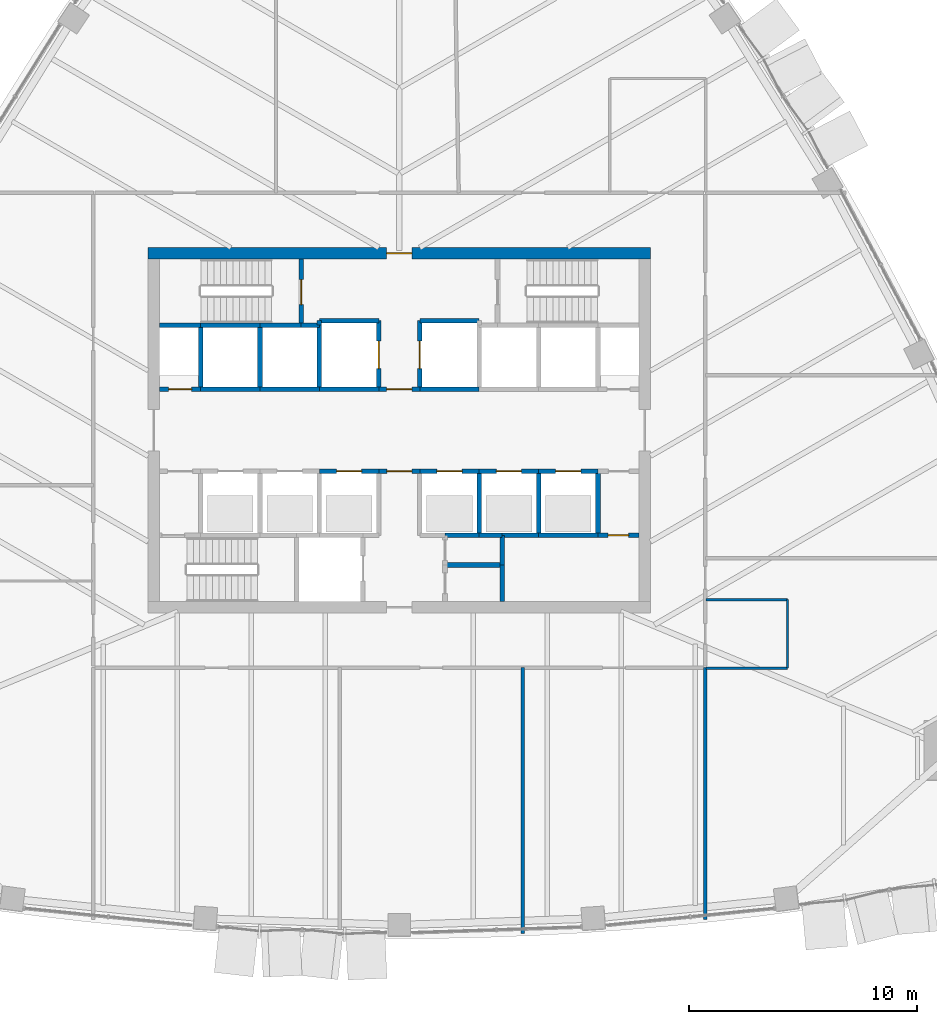
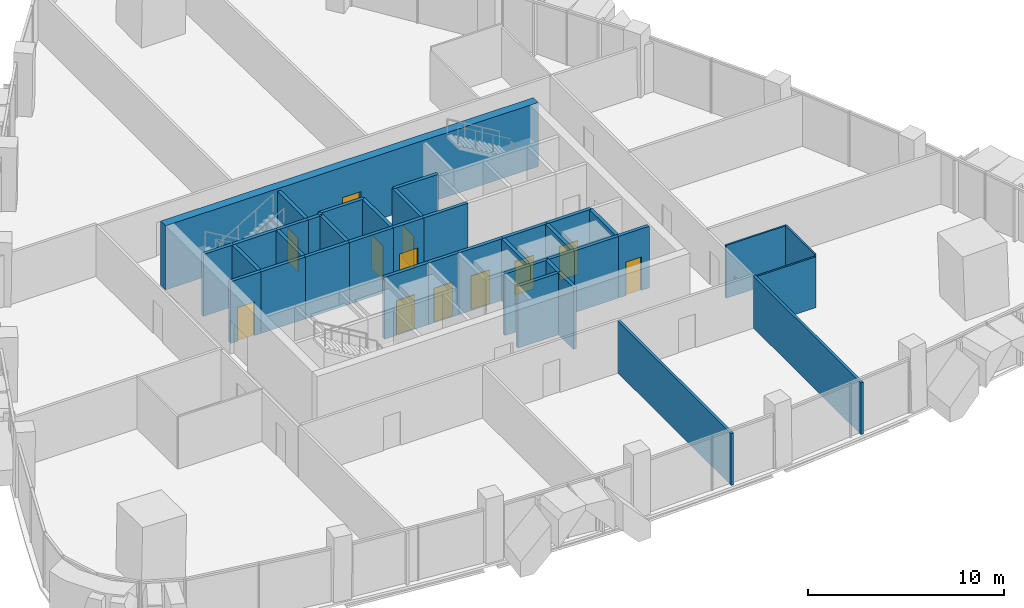
# One storey, part 11 of 17: 41 walls, 12 doors, 12 openings.
"""IFC4 building model written with IfcOpenShell, lengths in metres."""

from ifc_helpers import new_model, si_unit, direction, frame, frame_2d, origin, place, context, subcontext, project, spatial, rectangle, extrude, material, layer, layer_set, type_object, element, fill, save


model = new_model("IFC4")

# Units and contexts
model_context = context("Model", 3, precision=1e-05, world=origin(), true_north=direction((0.0, 1.0)))
body_context = subcontext(model_context, "Body", "Model", "MODEL_VIEW")
ifc_project = project(units=[si_unit("LENGTHUNIT", "METRE"), si_unit("AREAUNIT", "SQUARE_METRE"), si_unit("VOLUMEUNIT", "CUBIC_METRE"), si_unit("PLANEANGLEUNIT", "RADIAN"), si_unit("MASSUNIT", "GRAM", prefix="KILO")], contexts=[model_context])

# Site, building, storey
site_placement = place(None, origin())
site = spatial("IfcSite", under=ifc_project, at=site_placement, CompositionType="ELEMENT")
building_placement = place(site_placement, origin())
building = spatial("IfcBuilding", under=site, at=building_placement, Name="Sierra Prisma Convention Tower", CompositionType="ELEMENT")
storey_placement = place(building_placement, frame((0.0, 0.0, 153.800048828125)))
storey = spatial("IfcBuildingStorey", under=building, at=storey_placement, Name="L33", CompositionType="ELEMENT", Elevation=153.800048828125)

# Walls
ifc_material_1 = material(Name="Gypsum board partition", Category="gypsum")
ifc_layer_1 = layer(ifc_material_1, 0.10009765625)
ifc_layer_set_1 = layer_set([ifc_layer_1], Name="Bathroom partition 100")
wall_type_1 = type_object("IfcWallType", Name="Bathroom partition 100", PredefinedType="PARTITIONING", material=ifc_layer_set_1)
wall_1_placement = place(storey_placement, frame((13.429931640625, -7.419921875, 0.0), z_axis=(0.0, 0.0, 1.0), x_axis=(1.0, 0.0, 0.0)))
element("IfcWall", 1, at=wall_1_placement, inside=storey, type_object=wall_type_1, Name="Partition L33 bath 6", PredefinedType="PARTITIONING", context=body_context, shape_type="SweptSolid", body=[
    extrude(rectangle(XDim=3.570068359375, YDim=0.10009765625, at=frame_2d((1.78515625, 0.0))), origin(), (0.0, 0.0, 1.0), 3.300048828125),
])
wall_2_placement = place(storey_placement, frame((17.0, -7.419921875, 0.0), z_axis=(0.0, 0.0, 1.0), x_axis=(0.0, -1.0, 0.0)))
element("IfcWall", 2, at=wall_2_placement, inside=storey, type_object=wall_type_1, Name="Partition L33 bath 7", PredefinedType="PARTITIONING", context=body_context, shape_type="SweptSolid", body=[
    extrude(rectangle(XDim=3.0, YDim=0.10009765625, at=frame_2d((1.5, 0.0))), origin(), (0.0, 0.0, 1.0), 3.300048828125),
])
wall_3_placement = place(storey_placement, frame((17.0, -10.419921875, 0.0), z_axis=(0.0, 0.0, 1.0), x_axis=(-1.0, 0.0, 0.0)))
element("IfcWall", 3, at=wall_3_placement, inside=storey, type_object=wall_type_1, Name="Partition L33 bath 8", PredefinedType="PARTITIONING", context=body_context, shape_type="SweptSolid", body=[
    extrude(rectangle(XDim=3.570068359375, YDim=0.10009765625, at=frame_2d((1.78515625, 0.0))), origin(), (0.0, 0.0, 1.0), 3.166015625),
])

# Wall, opening, door
ifc_material_2 = material(Name="Concrete C30/37", Category="concrete")
ifc_layer_2 = layer(ifc_material_2, 0.199951171875)
ifc_layer_set_2 = layer_set([ifc_layer_2], Name="Core wall RC 200 C30/37")
wall_type_2 = type_object("IfcWallType", Name="Core wall RC 200 C30/37", PredefinedType="SOLIDWALL", material=ifc_layer_set_2)
wall_4_placement = place(storey_placement, frame((-8.699951171875, 1.800048828125, 0.0), z_axis=(0.0, 0.0, 1.0), x_axis=(-1.0, 0.0, 0.0)))
wall_4 = element("IfcWall", 4, at=wall_4_placement, inside=storey, type_object=wall_type_2, Name="Core wall L33 3", PredefinedType="SOLIDWALL", context=body_context, shape_type="SweptSolid", body=[
    extrude(rectangle(XDim=1.800048828125, YDim=0.199951171875, at=frame_2d((0.89990234375, 0.0))), origin(), (0.0, 0.0, 1.0), 3.849853515625),
])
opening_1_placement = place(wall_4_placement, frame((0.39990234375, 0.0, 0.0)))
opening_1 = element("IfcOpeningElement", 5, at=opening_1_placement, cuts=wall_4, Name="Opening L33-D013", PredefinedType="OPENING", context=body_context, shape_type="SweptSolid", body=[
    extrude(rectangle(XDim=1.0, YDim=2.10009765625, at=frame_2d((0.5, 1.050048828125))), frame((0.0, 0.10009765625, 0.0), z_axis=(0.0, -1.0, 0.0), x_axis=(1.0, 0.0, 0.0)), (0.0, 0.0, 1.0), 0.199951171875),
])
ifc_material_3 = material(Name="Steel fire door leaf", Category="steel")
door_type_1 = type_object("IfcDoorType", Name="Door 1000x2100 FD60S", OperationType="SINGLE_SWING_LEFT", PredefinedType="DOOR", material=ifc_material_3)
door_1_placement = place(opening_1_placement, origin())
door_1 = element("IfcDoor", 6, at=door_1_placement, inside=storey, type_object=door_type_1, Name="Door L33 27", OperationType="SINGLE_SWING_LEFT", OverallHeight=2.10009765625, OverallWidth=1.0, PredefinedType="DOOR", context=body_context, shape_type="SweptSolid", body=[
    extrude(rectangle(XDim=1.0, YDim=2.10009765625, at=frame_2d((0.5, 1.050048828125))), frame((0.0, 0.02490234375, 0.0), z_axis=(0.0, -1.0, 0.0), x_axis=(1.0, 0.0, 0.0)), (0.0, 0.0, 1.0), 0.050048828125),
])
fill(opening_1, door_1)

# Walls
wall_5_placement = place(storey_placement, frame((-8.699951171875, 4.60009765625, 0.0), z_axis=(0.0, 0.0, 1.0), x_axis=(-1.0, 0.0, 0.0)))
element("IfcWall", 7, at=wall_5_placement, inside=storey, type_object=wall_type_2, Name="Core wall L33 4", PredefinedType="SOLIDWALL", context=body_context, shape_type="SweptSolid", body=[
    extrude(rectangle(XDim=1.800048828125, YDim=0.199951171875, at=frame_2d((0.89990234375, 0.0))), origin(), (0.0, 0.0, 1.0), 3.849853515625),
])
wall_6_placement = place(storey_placement, frame((-6.10009765625, 1.800048828125, 0.0), z_axis=(0.0, 0.0, 1.0), x_axis=(-1.0, 0.0, 0.0)))
element("IfcWall", 8, at=wall_6_placement, inside=storey, type_object=wall_type_2, Name="Core wall L33 8", PredefinedType="SOLIDWALL", context=body_context, shape_type="SweptSolid", body=[
    extrude(rectangle(XDim=2.599853515625, YDim=0.199951171875, at=frame_2d((1.2998046875, 0.0))), origin(), (0.0, 0.0, 1.0), 3.849853515625),
])
wall_7_placement = place(storey_placement, frame((-8.699951171875, 1.800048828125, 0.0), z_axis=(0.0, 0.0, 1.0), x_axis=(0.0, 1.0, 0.0)))
element("IfcWall", 9, at=wall_7_placement, inside=storey, type_object=wall_type_2, Name="Core wall L33 9", PredefinedType="SOLIDWALL", context=body_context, shape_type="SweptSolid", body=[
    extrude(rectangle(XDim=2.800048828125, YDim=0.199951171875, at=frame_2d((1.39990234375, 0.0))), origin(), (0.0, 0.0, 1.0), 3.849853515625),
])
wall_8_placement = place(storey_placement, frame((-6.10009765625, 4.60009765625, 0.0), z_axis=(0.0, 0.0, 1.0), x_axis=(-1.0, 0.0, 0.0)))
element("IfcWall", 10, at=wall_8_placement, inside=storey, type_object=wall_type_2, Name="Core wall L33 10", PredefinedType="SOLIDWALL", context=body_context, shape_type="SweptSolid", body=[
    extrude(rectangle(XDim=2.599853515625, YDim=0.199951171875, at=frame_2d((1.2998046875, 0.0))), origin(), (0.0, 0.0, 1.0), 3.849853515625),
])
wall_9_placement = place(storey_placement, frame((-3.5, 1.800048828125, 0.0), z_axis=(0.0, 0.0, 1.0), x_axis=(-1.0, 0.0, 0.0)))
element("IfcWall", 11, at=wall_9_placement, inside=storey, type_object=wall_type_2, Name="Core wall L33 14", PredefinedType="SOLIDWALL", context=body_context, shape_type="SweptSolid", body=[
    extrude(rectangle(XDim=2.60009765625, YDim=0.199951171875, at=frame_2d((1.300048828125, 0.0))), origin(), (0.0, 0.0, 1.0), 3.849853515625),
])
wall_10_placement = place(storey_placement, frame((-6.10009765625, 1.800048828125, 0.0), z_axis=(0.0, 0.0, 1.0), x_axis=(0.0, 1.0, 0.0)))
element("IfcWall", 12, at=wall_10_placement, inside=storey, type_object=wall_type_2, Name="Core wall L33 15", PredefinedType="SOLIDWALL", context=body_context, shape_type="SweptSolid", body=[
    extrude(rectangle(XDim=2.800048828125, YDim=0.199951171875, at=frame_2d((1.39990234375, 0.0))), origin(), (0.0, 0.0, 1.0), 3.849853515625),
])
wall_11_placement = place(storey_placement, frame((-4.300048828125, 4.60009765625, 0.0), z_axis=(0.0, 0.0, 1.0), x_axis=(-1.0, 0.0, 0.0)))
element("IfcWall", 13, at=wall_11_placement, inside=storey, type_object=wall_type_2, Name="Core wall L33 16", PredefinedType="SOLIDWALL", context=body_context, shape_type="SweptSolid", body=[
    extrude(rectangle(XDim=1.800048828125, YDim=0.199951171875, at=frame_2d((0.89990234375, 0.0))), origin(), (0.0, 0.0, 1.0), 3.849853515625),
])
wall_12_placement = place(storey_placement, frame((-3.5, 4.60009765625, 0.0), z_axis=(0.0, 0.0, 1.0), x_axis=(-1.0, 0.0, 0.0)))
element("IfcWall", 14, at=wall_12_placement, inside=storey, type_object=wall_type_2, Name="Core wall L33 19", PredefinedType="SOLIDWALL", context=body_context, shape_type="SweptSolid", body=[
    extrude(rectangle(XDim=0.800048828125, YDim=0.199951171875, at=frame_2d((0.39990234375, 0.0))), origin(), (0.0, 0.0, 1.0), 3.849853515625),
])

# Wall, opening, door
wall_13_placement = place(storey_placement, frame((-4.300048828125, 4.60009765625, 0.0), z_axis=(0.0, 0.0, 1.0), x_axis=(0.0, 1.0, 0.0)))
wall_13 = element("IfcWall", 15, at=wall_13_placement, inside=storey, type_object=wall_type_2, Name="Core wall L33 20", PredefinedType="SOLIDWALL", context=body_context, shape_type="SweptSolid", body=[
    extrude(rectangle(XDim=2.89990234375, YDim=0.199951171875, at=frame_2d((1.449951171875, 0.0))), origin(), (0.0, 0.0, 1.0), 3.849853515625),
])
opening_2_placement = place(wall_13_placement, frame((0.89990234375, 0.0, 0.0)))
opening_2 = element("IfcOpeningElement", 16, at=opening_2_placement, cuts=wall_13, Name="Opening L33-D016", PredefinedType="OPENING", context=body_context, shape_type="SweptSolid", body=[
    extrude(rectangle(XDim=1.10009765625, YDim=2.10009765625, at=frame_2d((0.550048828125, 1.050048828125))), frame((0.0, 0.10009765625, 0.0), z_axis=(0.0, -1.0, 0.0), x_axis=(1.0, 0.0, 0.0)), (0.0, 0.0, 1.0), 0.199951171875),
])
ifc_material_4 = material(Name="Steel fire door leaf", Category="steel")
door_type_2 = type_object("IfcDoorType", Name="Door 1100x2100 FD90S", OperationType="SINGLE_SWING_LEFT", PredefinedType="DOOR", material=ifc_material_4)
door_2_placement = place(opening_2_placement, origin())
door_2 = element("IfcDoor", 17, at=door_2_placement, inside=storey, type_object=door_type_2, Name="Door L33 30", OperationType="SINGLE_SWING_LEFT", OverallHeight=2.10009765625, OverallWidth=1.10009765625, PredefinedType="DOOR", context=body_context, shape_type="SweptSolid", body=[
    extrude(rectangle(XDim=1.10009765625, YDim=2.10009765625, at=frame_2d((0.550048828125, 1.050048828125))), frame((0.0, 0.02490234375, 0.0), z_axis=(0.0, -1.0, 0.0), x_axis=(1.0, 0.0, 0.0)), (0.0, 0.0, 1.0), 0.050048828125),
])
fill(opening_2, door_2)

wall_14_placement = place(storey_placement, frame((-3.5, -1.800048828125, 0.0), z_axis=(0.0, 0.0, 1.0), x_axis=(1.0, 0.0, 0.0)))
wall_14 = element("IfcWall", 18, at=wall_14_placement, inside=storey, type_object=wall_type_2, Name="Core wall L33 23", PredefinedType="SOLIDWALL", context=body_context, shape_type="SweptSolid", body=[
    extrude(rectangle(XDim=2.60009765625, YDim=0.199951171875, at=frame_2d((1.300048828125, 0.0))), origin(), (0.0, 0.0, 1.0), 3.849853515625),
])
opening_3_placement = place(wall_14_placement, frame((0.75, 0.0, 0.0)))
opening_3 = element("IfcOpeningElement", 19, at=opening_3_placement, cuts=wall_14, Name="Opening L33-D003", PredefinedType="OPENING", context=body_context, shape_type="SweptSolid", body=[
    extrude(rectangle(XDim=1.10009765625, YDim=2.10009765625, at=frame_2d((0.550048828125, 1.050048828125))), frame((0.0, 0.10009765625, 0.0), z_axis=(0.0, -1.0, 0.0), x_axis=(1.0, 0.0, 0.0)), (0.0, 0.0, 1.0), 0.199951171875),
])
ifc_material_5 = material(Name="Steel fire door leaf", Category="steel")
door_type_3 = type_object("IfcDoorType", Name="Door 1100x2100 EI 90 sliding lift landing", OperationType="SLIDING_TO_LEFT", PredefinedType="DOOR", material=ifc_material_5)
door_3_placement = place(opening_3_placement, origin())
door_3 = element("IfcDoor", 20, at=door_3_placement, inside=storey, type_object=door_type_3, Name="Door L33 17", OperationType="SLIDING_TO_RIGHT", OverallHeight=2.10009765625, OverallWidth=1.10009765625, PredefinedType="DOOR", context=body_context, shape_type="SweptSolid", body=[
    extrude(rectangle(XDim=1.10009765625, YDim=2.10009765625, at=frame_2d((0.550048828125, 1.050048828125))), frame((0.0, 0.02490234375, 0.0), z_axis=(0.0, -1.0, 0.0), x_axis=(1.0, 0.0, 0.0)), (0.0, 0.0, 1.0), 0.050048828125),
])
fill(opening_3, door_3)

# Walls
wall_15_placement = place(storey_placement, frame((-0.89990234375, 1.800048828125, 0.0), z_axis=(0.0, 0.0, 1.0), x_axis=(-1.0, 0.0, 0.0)))
element("IfcWall", 21, at=wall_15_placement, inside=storey, type_object=wall_type_2, Name="Core wall L33 24", PredefinedType="SOLIDWALL", context=body_context, shape_type="SweptSolid", body=[
    extrude(rectangle(XDim=2.60009765625, YDim=0.199951171875, at=frame_2d((1.300048828125, 0.0))), origin(), (0.0, 0.0, 1.0), 3.849853515625),
])
wall_16_placement = place(storey_placement, frame((-3.5, 4.60009765625, 0.0), z_axis=(0.0, 0.0, 1.0), x_axis=(0.0, -1.0, 0.0)))
element("IfcWall", 22, at=wall_16_placement, inside=storey, type_object=wall_type_2, Name="Core wall L33 25", PredefinedType="SOLIDWALL", context=body_context, shape_type="SweptSolid", body=[
    extrude(rectangle(XDim=2.800048828125, YDim=0.199951171875, at=frame_2d((1.39990234375, 0.0))), origin(), (0.0, 0.0, 1.0), 3.849853515625),
])

# Wall, opening, door
wall_17_placement = place(storey_placement, frame((-0.89990234375, 1.800048828125, 0.0), z_axis=(0.0, 0.0, 1.0), x_axis=(0.0, 1.0, 0.0)))
wall_17 = element("IfcWall", 23, at=wall_17_placement, inside=storey, type_object=wall_type_2, Name="Core wall L33 26", PredefinedType="SOLIDWALL", context=body_context, shape_type="SweptSolid", body=[
    extrude(rectangle(XDim=3.0, YDim=0.199951171875, at=frame_2d((1.5, 0.0))), origin(), (0.0, 0.0, 1.0), 3.849853515625),
])
opening_4_placement = place(wall_17_placement, frame((0.89990234375, 0.0, 0.0)))
opening_4 = element("IfcOpeningElement", 24, at=opening_4_placement, cuts=wall_17, Name="Opening L33-D007", PredefinedType="OPENING", context=body_context, shape_type="SweptSolid", body=[
    extrude(rectangle(XDim=1.199951171875, YDim=2.10009765625, at=frame_2d((0.60009765625, 1.050048828125))), frame((0.0, 0.10009765625, 0.0), z_axis=(0.0, -1.0, 0.0), x_axis=(1.0, 0.0, 0.0)), (0.0, 0.0, 1.0), 0.199951171875),
])
ifc_material_6 = material(Name="Steel fire door leaf", Category="steel")
door_type_4 = type_object("IfcDoorType", Name="Door 1200x2100 EI 90 sliding lift landing", OperationType="SLIDING_TO_LEFT", PredefinedType="DOOR", material=ifc_material_6)
door_4_placement = place(opening_4_placement, origin())
door_4 = element("IfcDoor", 25, at=door_4_placement, inside=storey, type_object=door_type_4, Name="Door L33 21", OperationType="SLIDING_TO_RIGHT", OverallHeight=2.10009765625, OverallWidth=1.199951171875, PredefinedType="DOOR", context=body_context, shape_type="SweptSolid", body=[
    extrude(rectangle(XDim=1.199951171875, YDim=2.10009765625, at=frame_2d((0.60009765625, 1.050048828125))), frame((0.0, 0.02490234375, 0.0), z_axis=(0.0, -1.0, 0.0), x_axis=(1.0, 0.0, 0.0)), (0.0, 0.0, 1.0), 0.050048828125),
])
fill(opening_4, door_4)

# Walls
wall_18_placement = place(storey_placement, frame((-0.89990234375, 4.800048828125, 0.0), z_axis=(0.0, 0.0, 1.0), x_axis=(-1.0, 0.0, 0.0)))
element("IfcWall", 26, at=wall_18_placement, inside=storey, type_object=wall_type_2, Name="Core wall L33 27", PredefinedType="SOLIDWALL", context=body_context, shape_type="SweptSolid", body=[
    extrude(rectangle(XDim=2.60009765625, YDim=0.199951171875, at=frame_2d((1.300048828125, 0.0))), origin(), (0.0, 0.0, 1.0), 3.849853515625),
])
wall_19_placement = place(storey_placement, frame((-3.5, 4.800048828125, 0.0), z_axis=(0.0, 0.0, 1.0), x_axis=(0.0, -1.0, 0.0)))
element("IfcWall", 27, at=wall_19_placement, inside=storey, type_object=wall_type_2, Name="Core wall L33 28", PredefinedType="SOLIDWALL", context=body_context, shape_type="SweptSolid", body=[
    extrude(rectangle(XDim=0.199951171875, YDim=0.199951171875, at=frame_2d((0.10009765625, 0.0))), origin(), (0.0, 0.0, 1.0), 3.849853515625),
])

# Wall, opening, door
wall_20_placement = place(storey_placement, frame((-0.89990234375, -1.800048828125, 0.0), z_axis=(0.0, 0.0, 1.0), x_axis=(1.0, 0.0, 0.0)))
wall_20 = element("IfcWall", 28, at=wall_20_placement, inside=storey, type_object=wall_type_2, Name="Core wall L33 32", PredefinedType="SOLIDWALL", context=body_context, shape_type="SweptSolid", body=[
    extrude(rectangle(XDim=1.7998046875, YDim=0.199951171875, at=frame_2d((0.89990234375, 0.0))), origin(), (0.0, 0.0, 1.0), 3.849853515625),
])
opening_5_placement = place(wall_20_placement, frame((0.35009765625, 0.0, 0.0)))
opening_5 = element("IfcOpeningElement", 29, at=opening_5_placement, cuts=wall_20, Name="Opening L33-D012", PredefinedType="OPENING", context=body_context, shape_type="SweptSolid", body=[
    extrude(rectangle(XDim=1.10009765625, YDim=2.10009765625, at=frame_2d((0.550048828125, 1.050048828125))), frame((0.0, 0.10009765625, 0.0), z_axis=(0.0, -1.0, 0.0), x_axis=(1.0, 0.0, 0.0)), (0.0, 0.0, 1.0), 0.199951171875),
])
ifc_material_7 = material(Name="Steel fire door leaf", Category="steel")
door_type_5 = type_object("IfcDoorType", Name="Door 1100x2100 FD30S", OperationType="SINGLE_SWING_LEFT", PredefinedType="DOOR", material=ifc_material_7)
door_5_placement = place(opening_5_placement, origin())
door_5 = element("IfcDoor", 30, at=door_5_placement, inside=storey, type_object=door_type_5, Name="Door L33 26", OperationType="SINGLE_SWING_RIGHT", OverallHeight=2.10009765625, OverallWidth=1.10009765625, PredefinedType="DOOR", context=body_context, shape_type="SweptSolid", body=[
    extrude(rectangle(XDim=1.10009765625, YDim=2.10009765625, at=frame_2d((0.550048828125, 1.050048828125))), frame((0.0, 0.02490234375, 0.0), z_axis=(0.0, -1.0, 0.0), x_axis=(1.0, 0.0, 0.0)), (0.0, 0.0, 1.0), 0.050048828125),
])
fill(opening_5, door_5)

wall_21_placement = place(storey_placement, frame((0.89990234375, 1.800048828125, 0.0), z_axis=(0.0, 0.0, 1.0), x_axis=(-1.0, 0.0, 0.0)))
wall_21 = element("IfcWall", 31, at=wall_21_placement, inside=storey, type_object=wall_type_2, Name="Core wall L33 33", PredefinedType="SOLIDWALL", context=body_context, shape_type="SweptSolid", body=[
    extrude(rectangle(XDim=1.7998046875, YDim=0.199951171875, at=frame_2d((0.89990234375, 0.0))), origin(), (0.0, 0.0, 1.0), 3.849853515625),
])
opening_6_placement = place(wall_21_placement, frame((0.35009765625, 0.0, 0.0)))
opening_6 = element("IfcOpeningElement", 32, at=opening_6_placement, cuts=wall_21, Name="Opening L33-D011", PredefinedType="OPENING", context=body_context, shape_type="SweptSolid", body=[
    extrude(rectangle(XDim=1.10009765625, YDim=2.10009765625, at=frame_2d((0.550048828125, 1.050048828125))), frame((0.0, 0.10009765625, 0.0), z_axis=(0.0, -1.0, 0.0), x_axis=(1.0, 0.0, 0.0)), (0.0, 0.0, 1.0), 0.199951171875),
])
ifc_material_8 = material(Name="Steel fire door leaf", Category="steel")
door_type_6 = type_object("IfcDoorType", Name="Door 1100x2100 FD60S", OperationType="SINGLE_SWING_LEFT", PredefinedType="DOOR", material=ifc_material_8)
door_6_placement = place(opening_6_placement, origin())
door_6 = element("IfcDoor", 33, at=door_6_placement, inside=storey, type_object=door_type_6, Name="Door L33 25", OperationType="SINGLE_SWING_LEFT", OverallHeight=2.10009765625, OverallWidth=1.10009765625, PredefinedType="DOOR", context=body_context, shape_type="SweptSolid", body=[
    extrude(rectangle(XDim=1.10009765625, YDim=2.10009765625, at=frame_2d((0.550048828125, 1.050048828125))), frame((0.0, 0.02490234375, 0.0), z_axis=(0.0, -1.0, 0.0), x_axis=(1.0, 0.0, 0.0)), (0.0, 0.0, 1.0), 0.050048828125),
])
fill(opening_6, door_6)

wall_22_placement = place(storey_placement, frame((0.89990234375, -1.800048828125, 0.0), z_axis=(0.0, 0.0, 1.0), x_axis=(1.0, 0.0, 0.0)))
wall_22 = element("IfcWall", 34, at=wall_22_placement, inside=storey, type_object=wall_type_2, Name="Core wall L33 34", PredefinedType="SOLIDWALL", context=body_context, shape_type="SweptSolid", body=[
    extrude(rectangle(XDim=2.60009765625, YDim=0.199951171875, at=frame_2d((1.300048828125, 0.0))), origin(), (0.0, 0.0, 1.0), 3.849853515625),
])
opening_7_placement = place(wall_22_placement, frame((0.75, 0.0, 0.0)))
opening_7 = element("IfcOpeningElement", 35, at=opening_7_placement, cuts=wall_22, Name="Opening L33-D004", PredefinedType="OPENING", context=body_context, shape_type="SweptSolid", body=[
    extrude(rectangle(XDim=1.10009765625, YDim=2.10009765625, at=frame_2d((0.550048828125, 1.050048828125))), frame((0.0, 0.10009765625, 0.0), z_axis=(0.0, -1.0, 0.0), x_axis=(1.0, 0.0, 0.0)), (0.0, 0.0, 1.0), 0.199951171875),
])
door_7_placement = place(opening_7_placement, origin())
door_7 = element("IfcDoor", 36, at=door_7_placement, inside=storey, type_object=door_type_3, Name="Door L33 18", OperationType="SLIDING_TO_RIGHT", OverallHeight=2.10009765625, OverallWidth=1.10009765625, PredefinedType="DOOR", context=body_context, shape_type="SweptSolid", body=[
    extrude(rectangle(XDim=1.10009765625, YDim=2.10009765625, at=frame_2d((0.550048828125, 1.050048828125))), frame((0.0, 0.02490234375, 0.0), z_axis=(0.0, -1.0, 0.0), x_axis=(1.0, 0.0, 0.0)), (0.0, 0.0, 1.0), 0.050048828125),
])
fill(opening_7, door_7)

# Walls
for number, where, z_axis, x_axis, name in (
    (37, (3.5, 1.800048828125, 0.0), (0.0, 0.0, 1.0), (-1.0, 0.0, 0.0), "Core wall L33 37"),
    (38, (3.5, 4.800048828125, 0.0), (0.0, 0.0, 1.0), (-1.0, 0.0, 0.0), "Core wall L33 39"),
):
    element("IfcWall", number, at=place(storey_placement, frame(where, z_axis=z_axis, x_axis=x_axis)), inside=storey, type_object=wall_type_2, Name=name, PredefinedType="SOLIDWALL", context=body_context, shape_type="SweptSolid", body=[
        extrude(rectangle(XDim=2.60009765625, YDim=0.199951171875, at=frame_2d((1.300048828125, 0.0))), origin(), (0.0, 0.0, 1.0), 3.849853515625),
    ])

# Wall, opening, door
wall_23_placement = place(storey_placement, frame((0.89990234375, 4.800048828125, 0.0), z_axis=(0.0, 0.0, 1.0), x_axis=(0.0, -1.0, 0.0)))
wall_23 = element("IfcWall", 39, at=wall_23_placement, inside=storey, type_object=wall_type_2, Name="Core wall L33 40", PredefinedType="SOLIDWALL", context=body_context, shape_type="SweptSolid", body=[
    extrude(rectangle(XDim=3.0, YDim=0.199951171875, at=frame_2d((1.5, 0.0))), origin(), (0.0, 0.0, 1.0), 3.849853515625),
])
opening_8_placement = place(wall_23_placement, frame((0.89990234375, 0.0, 0.0)))
opening_8 = element("IfcOpeningElement", 40, at=opening_8_placement, cuts=wall_23, Name="Opening L33-D008", PredefinedType="OPENING", context=body_context, shape_type="SweptSolid", body=[
    extrude(rectangle(XDim=1.199951171875, YDim=2.10009765625, at=frame_2d((0.60009765625, 1.050048828125))), frame((0.0, 0.10009765625, 0.0), z_axis=(0.0, -1.0, 0.0), x_axis=(1.0, 0.0, 0.0)), (0.0, 0.0, 1.0), 0.199951171875),
])
door_8_placement = place(opening_8_placement, origin())
door_8 = element("IfcDoor", 41, at=door_8_placement, inside=storey, type_object=door_type_4, Name="Door L33 22", OperationType="SLIDING_TO_LEFT", OverallHeight=2.10009765625, OverallWidth=1.199951171875, PredefinedType="DOOR", context=body_context, shape_type="SweptSolid", body=[
    extrude(rectangle(XDim=1.199951171875, YDim=2.10009765625, at=frame_2d((0.60009765625, 1.050048828125))), frame((0.0, 0.02490234375, 0.0), z_axis=(0.0, -1.0, 0.0), x_axis=(1.0, 0.0, 0.0)), (0.0, 0.0, 1.0), 0.050048828125),
])
fill(opening_8, door_8)

# Walls
wall_24_placement = place(storey_placement, frame((4.5, -5.89990234375, 0.0), z_axis=(0.0, 0.0, 1.0), x_axis=(-1.0, 0.0, 0.0)))
element("IfcWall", 42, at=wall_24_placement, inside=storey, type_object=wall_type_2, Name="Core wall L33 42", PredefinedType="SOLIDWALL", context=body_context, shape_type="SweptSolid", body=[
    extrude(rectangle(XDim=2.5, YDim=0.199951171875, at=frame_2d((1.25, 0.0))), origin(), (0.0, 0.0, 1.0), 3.849853515625),
])
wall_25_placement = place(storey_placement, frame((3.5, -4.60009765625, 0.0), z_axis=(0.0, 0.0, 1.0), x_axis=(-1.0, 0.0, 0.0)))
element("IfcWall", 43, at=wall_25_placement, inside=storey, type_object=wall_type_2, Name="Core wall L33 44", PredefinedType="SOLIDWALL", context=body_context, shape_type="SweptSolid", body=[
    extrude(rectangle(XDim=1.5, YDim=0.199951171875, at=frame_2d((0.75, 0.0))), origin(), (0.0, 0.0, 1.0), 3.849853515625),
])
wall_26_placement = place(storey_placement, frame((4.5, -4.60009765625, 0.0), z_axis=(0.0, 0.0, 1.0), x_axis=(-1.0, 0.0, 0.0)))
element("IfcWall", 44, at=wall_26_placement, inside=storey, type_object=wall_type_2, Name="Core wall L33 45", PredefinedType="SOLIDWALL", context=body_context, shape_type="SweptSolid", body=[
    extrude(rectangle(XDim=1.0, YDim=0.199951171875, at=frame_2d((0.5, 0.0))), origin(), (0.0, 0.0, 1.0), 3.849853515625),
])
wall_27_placement = place(storey_placement, frame((3.5, -4.60009765625, 0.0), z_axis=(0.0, 0.0, 1.0), x_axis=(0.0, 1.0, 0.0)))
element("IfcWall", 45, at=wall_27_placement, inside=storey, type_object=wall_type_2, Name="Core wall L33 46", PredefinedType="SOLIDWALL", context=body_context, shape_type="SweptSolid", body=[
    extrude(rectangle(XDim=2.800048828125, YDim=0.199951171875, at=frame_2d((1.39990234375, 0.0))), origin(), (0.0, 0.0, 1.0), 3.849853515625),
])

# Wall, opening, door
wall_28_placement = place(storey_placement, frame((3.5, -1.800048828125, 0.0), z_axis=(0.0, 0.0, 1.0), x_axis=(1.0, 0.0, 0.0)))
wall_28 = element("IfcWall", 46, at=wall_28_placement, inside=storey, type_object=wall_type_2, Name="Core wall L33 47", PredefinedType="SOLIDWALL", context=body_context, shape_type="SweptSolid", body=[
    extrude(rectangle(XDim=2.60009765625, YDim=0.199951171875, at=frame_2d((1.300048828125, 0.0))), origin(), (0.0, 0.0, 1.0), 3.849853515625),
])
opening_9_placement = place(wall_28_placement, frame((0.75, 0.0, 0.0)))
opening_9 = element("IfcOpeningElement", 47, at=opening_9_placement, cuts=wall_28, Name="Opening L33-D005", PredefinedType="OPENING", context=body_context, shape_type="SweptSolid", body=[
    extrude(rectangle(XDim=1.10009765625, YDim=2.10009765625, at=frame_2d((0.550048828125, 1.050048828125))), frame((0.0, 0.10009765625, 0.0), z_axis=(0.0, -1.0, 0.0), x_axis=(1.0, 0.0, 0.0)), (0.0, 0.0, 1.0), 0.199951171875),
])
door_9_placement = place(opening_9_placement, origin())
door_9 = element("IfcDoor", 48, at=door_9_placement, inside=storey, type_object=door_type_3, Name="Door L33 19", OperationType="SLIDING_TO_LEFT", OverallHeight=2.10009765625, OverallWidth=1.10009765625, PredefinedType="DOOR", context=body_context, shape_type="SweptSolid", body=[
    extrude(rectangle(XDim=1.10009765625, YDim=2.10009765625, at=frame_2d((0.550048828125, 1.050048828125))), frame((0.0, 0.02490234375, 0.0), z_axis=(0.0, -1.0, 0.0), x_axis=(1.0, 0.0, 0.0)), (0.0, 0.0, 1.0), 0.050048828125),
])
fill(opening_9, door_9)

# Walls
wall_29_placement = place(storey_placement, frame((4.5, -5.89990234375, 0.0), z_axis=(0.0, 0.0, 1.0), x_axis=(0.0, -1.0, 0.0)))
element("IfcWall", 49, at=wall_29_placement, inside=storey, type_object=wall_type_2, Name="Core wall L33 53", PredefinedType="SOLIDWALL", context=body_context, shape_type="SweptSolid", body=[
    extrude(rectangle(XDim=1.60009765625, YDim=0.199951171875, at=frame_2d((0.800048828125, 0.0))), origin(), (0.0, 0.0, 1.0), 3.849853515625),
])
wall_30_placement = place(storey_placement, frame((4.5, -4.60009765625, 0.0), z_axis=(0.0, 0.0, 1.0), x_axis=(0.0, -1.0, 0.0)))
element("IfcWall", 50, at=wall_30_placement, inside=storey, type_object=wall_type_2, Name="Core wall L33 54", PredefinedType="SOLIDWALL", context=body_context, shape_type="SweptSolid", body=[
    extrude(rectangle(XDim=1.2998046875, YDim=0.199951171875, at=frame_2d((0.64990234375, 0.0))), origin(), (0.0, 0.0, 1.0), 3.849853515625),
])
wall_31_placement = place(storey_placement, frame((6.10009765625, -4.60009765625, 0.0), z_axis=(0.0, 0.0, 1.0), x_axis=(-1.0, 0.0, 0.0)))
element("IfcWall", 51, at=wall_31_placement, inside=storey, type_object=wall_type_2, Name="Core wall L33 55", PredefinedType="SOLIDWALL", context=body_context, shape_type="SweptSolid", body=[
    extrude(rectangle(XDim=1.60009765625, YDim=0.199951171875, at=frame_2d((0.800048828125, 0.0))), origin(), (0.0, 0.0, 1.0), 3.849853515625),
])
wall_32_placement = place(storey_placement, frame((8.699951171875, -4.60009765625, 0.0), z_axis=(0.0, 0.0, 1.0), x_axis=(-1.0, 0.0, 0.0)))
element("IfcWall", 52, at=wall_32_placement, inside=storey, type_object=wall_type_2, Name="Core wall L33 56", PredefinedType="SOLIDWALL", context=body_context, shape_type="SweptSolid", body=[
    extrude(rectangle(XDim=2.599853515625, YDim=0.199951171875, at=frame_2d((1.2998046875, 0.0))), origin(), (0.0, 0.0, 1.0), 3.849853515625),
])
wall_33_placement = place(storey_placement, frame((6.10009765625, -4.60009765625, 0.0), z_axis=(0.0, 0.0, 1.0), x_axis=(0.0, 1.0, 0.0)))
element("IfcWall", 53, at=wall_33_placement, inside=storey, type_object=wall_type_2, Name="Core wall L33 57", PredefinedType="SOLIDWALL", context=body_context, shape_type="SweptSolid", body=[
    extrude(rectangle(XDim=2.800048828125, YDim=0.199951171875, at=frame_2d((1.39990234375, 0.0))), origin(), (0.0, 0.0, 1.0), 3.849853515625),
])

# Wall, opening, door
wall_34_placement = place(storey_placement, frame((6.10009765625, -1.800048828125, 0.0), z_axis=(0.0, 0.0, 1.0), x_axis=(1.0, 0.0, 0.0)))
wall_34 = element("IfcWall", 54, at=wall_34_placement, inside=storey, type_object=wall_type_2, Name="Core wall L33 58", PredefinedType="SOLIDWALL", context=body_context, shape_type="SweptSolid", body=[
    extrude(rectangle(XDim=2.599853515625, YDim=0.199951171875, at=frame_2d((1.2998046875, 0.0))), origin(), (0.0, 0.0, 1.0), 3.849853515625),
])
opening_10_placement = place(wall_34_placement, frame((0.75, 0.0, 0.0)))
opening_10 = element("IfcOpeningElement", 55, at=opening_10_placement, cuts=wall_34, Name="Opening L33-D006", PredefinedType="OPENING", context=body_context, shape_type="SweptSolid", body=[
    extrude(rectangle(XDim=1.10009765625, YDim=2.10009765625, at=frame_2d((0.550048828125, 1.050048828125))), frame((0.0, 0.10009765625, 0.0), z_axis=(0.0, -1.0, 0.0), x_axis=(1.0, 0.0, 0.0)), (0.0, 0.0, 1.0), 0.199951171875),
])
door_10_placement = place(opening_10_placement, origin())
door_10 = element("IfcDoor", 56, at=door_10_placement, inside=storey, type_object=door_type_3, Name="Door L33 20", OperationType="SLIDING_TO_LEFT", OverallHeight=2.10009765625, OverallWidth=1.10009765625, PredefinedType="DOOR", context=body_context, shape_type="SweptSolid", body=[
    extrude(rectangle(XDim=1.10009765625, YDim=2.10009765625, at=frame_2d((0.550048828125, 1.050048828125))), frame((0.0, 0.02490234375, 0.0), z_axis=(0.0, -1.0, 0.0), x_axis=(1.0, 0.0, 0.0)), (0.0, 0.0, 1.0), 0.050048828125),
])
fill(opening_10, door_10)

wall_35_placement = place(storey_placement, frame((10.5, -4.60009765625, 0.0), z_axis=(0.0, 0.0, 1.0), x_axis=(-1.0, 0.0, 0.0)))
wall_35 = element("IfcWall", 57, at=wall_35_placement, inside=storey, type_object=wall_type_2, Name="Core wall L33 62", PredefinedType="SOLIDWALL", context=body_context, shape_type="SweptSolid", body=[
    extrude(rectangle(XDim=1.800048828125, YDim=0.199951171875, at=frame_2d((0.89990234375, 0.0))), origin(), (0.0, 0.0, 1.0), 3.849853515625),
])
opening_11_placement = place(wall_35_placement, frame((0.4599609375, 0.0, 0.0)))
opening_11 = element("IfcOpeningElement", 58, at=opening_11_placement, cuts=wall_35, Name="Opening L33-D018", PredefinedType="OPENING", context=body_context, shape_type="SweptSolid", body=[
    extrude(rectangle(XDim=0.89990234375, YDim=2.10009765625, at=frame_2d((0.449951171875, 1.050048828125))), frame((0.0, 0.10009765625, 0.0), z_axis=(0.0, -1.0, 0.0), x_axis=(1.0, 0.0, 0.0)), (0.0, 0.0, 1.0), 0.199951171875),
])
ifc_material_9 = material(Name="Steel fire door leaf", Category="steel")
door_type_7 = type_object("IfcDoorType", Name="Door 900x2100 FD30S", OperationType="SINGLE_SWING_LEFT", PredefinedType="DOOR", material=ifc_material_9)
door_11_placement = place(opening_11_placement, origin())
door_11 = element("IfcDoor", 59, at=door_11_placement, inside=storey, type_object=door_type_7, Name="Door L33 32", OperationType="SINGLE_SWING_RIGHT", OverallHeight=2.10009765625, OverallWidth=0.89990234375, PredefinedType="DOOR", context=body_context, shape_type="SweptSolid", body=[
    extrude(rectangle(XDim=0.89990234375, YDim=2.10009765625, at=frame_2d((0.449951171875, 1.050048828125))), frame((0.0, 0.02490234375, 0.0), z_axis=(0.0, -1.0, 0.0), x_axis=(1.0, 0.0, 0.0)), (0.0, 0.0, 1.0), 0.050048828125),
])
fill(opening_11, door_11)

# Wall
wall_36_placement = place(storey_placement, frame((8.699951171875, -1.800048828125, 0.0), z_axis=(0.0, 0.0, 1.0), x_axis=(0.0, -1.0, 0.0)))
element("IfcWall", 60, at=wall_36_placement, inside=storey, type_object=wall_type_2, Name="Core wall L33 63", PredefinedType="SOLIDWALL", context=body_context, shape_type="SweptSolid", body=[
    extrude(rectangle(XDim=2.800048828125, YDim=0.199951171875, at=frame_2d((1.39990234375, 0.0))), origin(), (0.0, 0.0, 1.0), 3.849853515625),
])

# Wall, opening, door
ifc_material_10 = material(Name="Concrete C60/75", Category="concrete")
ifc_layer_3 = layer(ifc_material_10, 0.5)
ifc_layer_set_3 = layer_set([ifc_layer_3], Name="Core wall RC 500 C60/75")
wall_type_3 = type_object("IfcWallType", Name="Core wall RC 500 C60/75", PredefinedType="SHEAR", material=ifc_layer_set_3)
wall_37_placement = place(storey_placement, frame((-11.0, 7.75, 0.0), z_axis=(0.0, 0.0, 1.0), x_axis=(1.0, 0.0, 0.0)))
wall_37 = element("IfcWall", 61, at=wall_37_placement, inside=storey, type_object=wall_type_3, Name="Core wall N L33", PredefinedType="SHEAR", context=body_context, shape_type="SweptSolid", body=[
    extrude(rectangle(XDim=22.0, YDim=0.5, at=frame_2d((11.0, 0.0))), origin(), (0.0, 0.0, 1.0), 4.0),
])
opening_12_placement = place(wall_37_placement, frame((10.449951171875, 0.0, 0.0)))
opening_12 = element("IfcOpeningElement", 62, at=opening_12_placement, cuts=wall_37, Name="Opening L33-D037", PredefinedType="OPENING", context=body_context, shape_type="SweptSolid", body=[
    extrude(rectangle(XDim=1.10009765625, YDim=2.10009765625, at=frame_2d((0.550048828125, 1.050048828125))), frame((0.0, 0.25, 0.0), z_axis=(0.0, -1.0, 0.0), x_axis=(1.0, 0.0, 0.0)), (0.0, 0.0, 1.0), 0.5),
])
door_12_placement = place(opening_12_placement, origin())
door_12 = element("IfcDoor", 63, at=door_12_placement, inside=storey, type_object=door_type_6, Name="Door L33 38", OperationType="SINGLE_SWING_RIGHT", OverallHeight=2.10009765625, OverallWidth=1.10009765625, PredefinedType="DOOR", context=body_context, shape_type="SweptSolid", body=[
    extrude(rectangle(XDim=1.10009765625, YDim=2.10009765625, at=frame_2d((0.550048828125, 1.050048828125))), frame((0.0, 0.02490234375, 0.0), z_axis=(0.0, -1.0, 0.0), x_axis=(1.0, 0.0, 0.0)), (0.0, 0.0, 1.0), 0.050048828125),
])
fill(opening_12, door_12)

# Walls
ifc_material_11 = material(Name="Gypsum board partition", Category="gypsum")
ifc_layer_4 = layer(ifc_material_11, 0.14990234375)
ifc_layer_set_4 = layer_set([ifc_layer_4], Name="Party wall 150 gypsum")
wall_type_4 = type_object("IfcWallType", Name="Party wall 150 gypsum", PredefinedType="PARTITIONING", material=ifc_layer_set_4)
wall_38_placement = place(storey_placement, frame((5.39990234375, -10.39990234375, 0.0), z_axis=(0.0, 0.0, 1.0), x_axis=(0.0, -1.0, 0.0)))
element("IfcWall", 64, at=wall_38_placement, inside=storey, type_object=wall_type_4, Name="Partition L33 party 7", PredefinedType="PARTITIONING", context=body_context, shape_type="SweptSolid", body=[
    extrude(rectangle(XDim=11.6279296875, YDim=0.14990234375, at=frame_2d((5.81396484375, 0.0))), origin(), (0.0, 0.0, 1.0), 3.23388671875),
])
wall_39_placement = place(storey_placement, frame((13.39990234375, -10.39990234375, 0.0), z_axis=(0.0, 0.0, 1.0), x_axis=(0.0, -1.0, 0.0)))
element("IfcWall", 65, at=wall_39_placement, inside=storey, type_object=wall_type_4, Name="Partition L33 party 8", PredefinedType="PARTITIONING", context=body_context, shape_type="SweptSolid", body=[
    extrude(rectangle(XDim=11.034423828125, YDim=0.14990234375, at=frame_2d((5.51708984375, 0.0))), origin(), (0.0, 0.0, 1.0), 3.23388671875),
])

save(model, "model.ifc")
